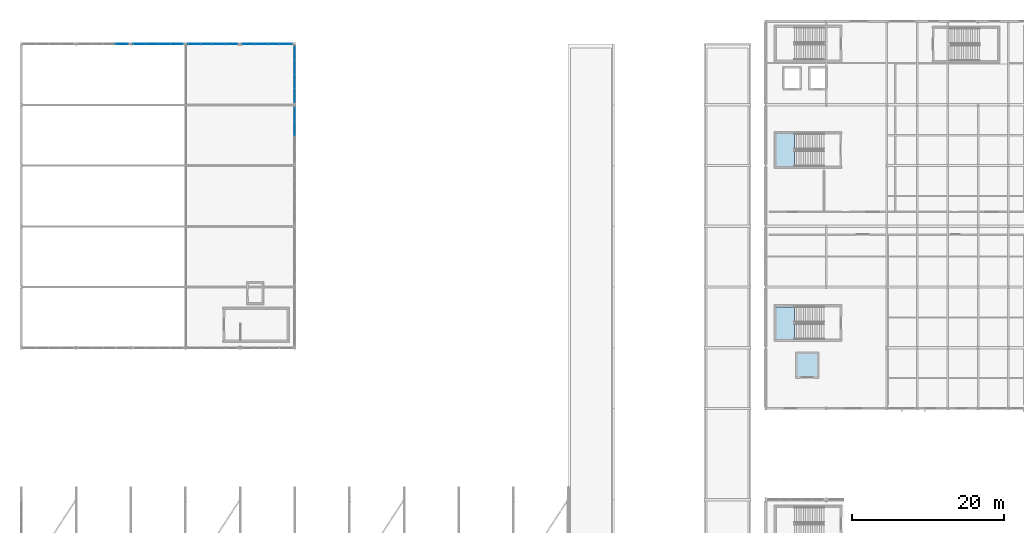
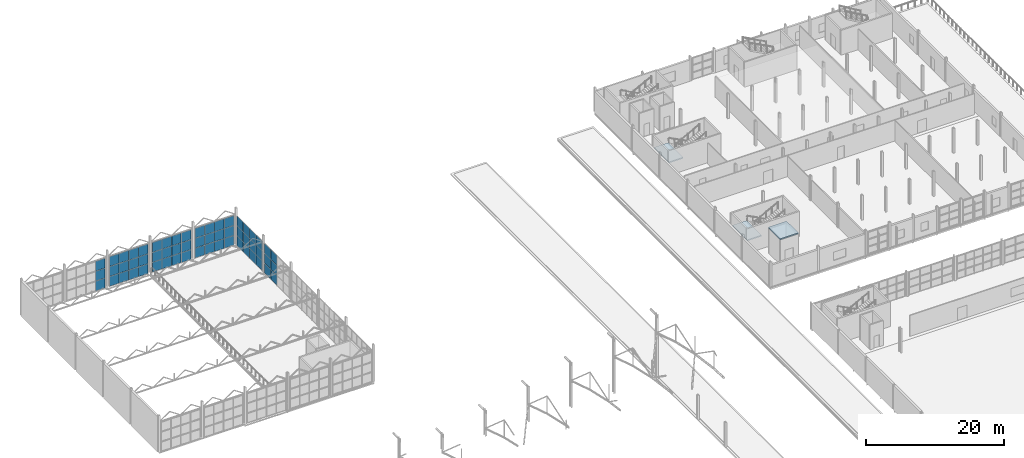
# One storey, part 127 of 153: 57 plates, 3 slabs, 8 elements without a shape of their own.
"""IFC4 building model written with IfcOpenShell, lengths in metres."""

from ifc_helpers import new_model, si_unit, derived_unit, direction, frame, origin, origin_2d, place, context, subcontext, project, spatial, polyline, rectangle, outline, extrude, material, layer, layer_set, type_object, element, aggregate, save


model = new_model("IFC4")

# Units and contexts
model_context = context("Model", 3, precision=1e-05, world=origin(), true_north=direction((0.0, 1.0)))
body_context = subcontext(model_context, "Body", "Model", "MODEL_VIEW")
ifc_project = project(units=[si_unit("LENGTHUNIT", "METRE"), si_unit("AREAUNIT", "SQUARE_METRE"), si_unit("VOLUMEUNIT", "CUBIC_METRE"), si_unit("PLANEANGLEUNIT", "RADIAN"), si_unit("MASSUNIT", "GRAM", prefix="KILO"), derived_unit("THERMALTRANSMITTANCEUNIT", [(si_unit("POWERUNIT", "WATT"), 1), (si_unit("LENGTHUNIT", "METRE"), -2), (si_unit("THERMODYNAMICTEMPERATUREUNIT", "KELVIN"), -1)])], contexts=[model_context])

# Site, building, storey
site_placement = place(None, origin())
site = spatial("IfcSite", under=ifc_project, at=site_placement, CompositionType="ELEMENT")
building_placement = place(site_placement, origin())
building = spatial("IfcBuilding", under=site, at=building_placement, Name="Keldorne Ridge Multi-Sports Centre", CompositionType="ELEMENT")
storey_placement = place(building_placement, frame((0.0, 0.0, 9.60009765625)))
storey = spatial("IfcBuildingStorey", under=building, at=storey_placement, Name="L02", CompositionType="ELEMENT", Elevation=9.60009765625)

# Curtain wall, plates
ifc_material_1 = material(Name="Anodized aluminium", Category="aluminium")
curtain_wall_type_1 = type_object("IfcCurtainWallType", Name="CW-CW-05", PredefinedType="NOTDEFINED", material=ifc_material_1)
curtain_wall_1_placement = place(storey_placement, origin())
curtain_wall_1 = element("IfcCurtainWall", 1, at=curtain_wall_1_placement, inside=storey, type_object=curtain_wall_type_1, Name="Climbing east courtyard glazing L02 069", PredefinedType="NOTDEFINED")
ifc_material_2 = material(Name="Double low-e insulated glazing", Category="glass")
ifc_layer_1 = layer(ifc_material_2, 0.035888671875)
ifc_layer_set_1 = layer_set([ifc_layer_1])
plate_type_1 = type_object("IfcPlateType", Name="PLT-GL-01", PredefinedType="CURTAIN_PANEL", material=ifc_layer_set_1)
plate_1_placement = place(storey_placement, frame((42.0, 102.9150390625, 0.02001953125), z_axis=(0.0, 0.0, 1.0), x_axis=(0.0, 1.0, 0.0)))
plate_1 = element("IfcPlate", 2, at=plate_1_placement, type_object=plate_type_1, Name="CW-069 glazed panel 3.1", PredefinedType="CURTAIN_PANEL", context=body_context, shape_type="SweptSolid", body=[
    extrude(rectangle(XDim=1.7900390625, YDim=0.035888671875, at=origin_2d()), origin(), (0.0, 0.0, 1.0), 1.726806640625),
])
plate_2_placement = place(storey_placement, frame((42.0, 102.9150390625, 1.78662109375), z_axis=(0.0, 0.0, 1.0), x_axis=(0.0, 1.0, 0.0)))
plate_2 = element("IfcPlate", 3, at=plate_2_placement, type_object=plate_type_1, Name="CW-069 glazed panel 3.2", PredefinedType="CURTAIN_PANEL", context=body_context, shape_type="SweptSolid", body=[
    extrude(rectangle(XDim=1.7900390625, YDim=0.035888671875, at=origin_2d()), origin(), (0.0, 0.0, 1.0), 1.726806640625),
])
plate_3_placement = place(storey_placement, frame((42.0, 102.9150390625, 3.55322265625), z_axis=(0.0, 0.0, 1.0), x_axis=(0.0, 1.0, 0.0)))
plate_3 = element("IfcPlate", 4, at=plate_3_placement, type_object=plate_type_1, Name="CW-069 glazed panel 3.3", PredefinedType="CURTAIN_PANEL", context=body_context, shape_type="SweptSolid", body=[
    extrude(rectangle(XDim=1.7900390625, YDim=0.035888671875, at=origin_2d()), origin(), (0.0, 0.0, 1.0), 1.726806640625),
])
plate_4_placement = place(storey_placement, frame((42.0, 104.7451171875, 0.02001953125), z_axis=(0.0, 0.0, 1.0), x_axis=(0.0, 1.0, 0.0)))
plate_4 = element("IfcPlate", 5, at=plate_4_placement, type_object=plate_type_1, Name="CW-069 glazed panel 4.1", PredefinedType="CURTAIN_PANEL", context=body_context, shape_type="SweptSolid", body=[
    extrude(rectangle(XDim=1.7900390625, YDim=0.035888671875, at=origin_2d()), origin(), (0.0, 0.0, 1.0), 1.726806640625),
])
plate_5_placement = place(storey_placement, frame((42.0, 104.7451171875, 1.78662109375), z_axis=(0.0, 0.0, 1.0), x_axis=(0.0, 1.0, 0.0)))
plate_5 = element("IfcPlate", 6, at=plate_5_placement, type_object=plate_type_1, Name="CW-069 glazed panel 4.2", PredefinedType="CURTAIN_PANEL", context=body_context, shape_type="SweptSolid", body=[
    extrude(rectangle(XDim=1.7900390625, YDim=0.035888671875, at=origin_2d()), origin(), (0.0, 0.0, 1.0), 1.726806640625),
])
plate_6_placement = place(storey_placement, frame((42.0, 104.7451171875, 3.55322265625), z_axis=(0.0, 0.0, 1.0), x_axis=(0.0, 1.0, 0.0)))
plate_6 = element("IfcPlate", 7, at=plate_6_placement, type_object=plate_type_1, Name="CW-069 glazed panel 4.3", PredefinedType="CURTAIN_PANEL", context=body_context, shape_type="SweptSolid", body=[
    extrude(rectangle(XDim=1.7900390625, YDim=0.035888671875, at=origin_2d()), origin(), (0.0, 0.0, 1.0), 1.726806640625),
])
aggregate(curtain_wall_1, [plate_1, plate_2, plate_3, plate_4, plate_5, plate_6])

curtain_wall_type_2 = type_object("IfcCurtainWallType", Name="CW-CW-08", PredefinedType="NOTDEFINED", material=ifc_material_1)
curtain_wall_2_placement = place(storey_placement, origin())
curtain_wall_2 = element("IfcCurtainWall", 8, at=curtain_wall_2_placement, inside=storey, type_object=curtain_wall_type_2, Name="Climbing east courtyard glazing L02 072", PredefinedType="NOTDEFINED")
plate_7_placement = place(storey_placement, frame((42.0, 107.2548828125, 0.02001953125), z_axis=(0.0, 0.0, 1.0), x_axis=(0.0, 1.0, 0.0)))
plate_7 = element("IfcPlate", 9, at=plate_7_placement, type_object=plate_type_1, Name="CW-072 glazed panel 1.1", PredefinedType="CURTAIN_PANEL", context=body_context, shape_type="SweptSolid", body=[
    extrude(rectangle(XDim=1.7900390625, YDim=0.035888671875, at=origin_2d()), origin(), (0.0, 0.0, 1.0), 1.726806640625),
])
plate_8_placement = place(storey_placement, frame((42.0, 107.2548828125, 1.78662109375), z_axis=(0.0, 0.0, 1.0), x_axis=(0.0, 1.0, 0.0)))
plate_8 = element("IfcPlate", 10, at=plate_8_placement, type_object=plate_type_1, Name="CW-072 glazed panel 1.2", PredefinedType="CURTAIN_PANEL", context=body_context, shape_type="SweptSolid", body=[
    extrude(rectangle(XDim=1.7900390625, YDim=0.035888671875, at=origin_2d()), origin(), (0.0, 0.0, 1.0), 1.726806640625),
])
plate_9_placement = place(storey_placement, frame((42.0, 107.2548828125, 3.55322265625), z_axis=(0.0, 0.0, 1.0), x_axis=(0.0, 1.0, 0.0)))
plate_9 = element("IfcPlate", 11, at=plate_9_placement, type_object=plate_type_1, Name="CW-072 glazed panel 1.3", PredefinedType="CURTAIN_PANEL", context=body_context, shape_type="SweptSolid", body=[
    extrude(rectangle(XDim=1.7900390625, YDim=0.035888671875, at=origin_2d()), origin(), (0.0, 0.0, 1.0), 1.726806640625),
])
plate_10_placement = place(storey_placement, frame((42.0, 109.0849609375, 0.02001953125), z_axis=(0.0, 0.0, 1.0), x_axis=(0.0, 1.0, 0.0)))
plate_10 = element("IfcPlate", 12, at=plate_10_placement, type_object=plate_type_1, Name="CW-072 glazed panel 2.1", PredefinedType="CURTAIN_PANEL", context=body_context, shape_type="SweptSolid", body=[
    extrude(rectangle(XDim=1.7900390625, YDim=0.035888671875, at=origin_2d()), origin(), (0.0, 0.0, 1.0), 1.726806640625),
])
plate_11_placement = place(storey_placement, frame((42.0, 109.0849609375, 1.78662109375), z_axis=(0.0, 0.0, 1.0), x_axis=(0.0, 1.0, 0.0)))
plate_11 = element("IfcPlate", 13, at=plate_11_placement, type_object=plate_type_1, Name="CW-072 glazed panel 2.2", PredefinedType="CURTAIN_PANEL", context=body_context, shape_type="SweptSolid", body=[
    extrude(rectangle(XDim=1.7900390625, YDim=0.035888671875, at=origin_2d()), origin(), (0.0, 0.0, 1.0), 1.726806640625),
])
plate_12_placement = place(storey_placement, frame((42.0, 109.0849609375, 3.55322265625), z_axis=(0.0, 0.0, 1.0), x_axis=(0.0, 1.0, 0.0)))
plate_12 = element("IfcPlate", 14, at=plate_12_placement, type_object=plate_type_1, Name="CW-072 glazed panel 2.3", PredefinedType="CURTAIN_PANEL", context=body_context, shape_type="SweptSolid", body=[
    extrude(rectangle(XDim=1.7900390625, YDim=0.035888671875, at=origin_2d()), origin(), (0.0, 0.0, 1.0), 1.726806640625),
])
plate_13_placement = place(storey_placement, frame((42.0, 110.9150390625, 0.02001953125), z_axis=(0.0, 0.0, 1.0), x_axis=(0.0, 1.0, 0.0)))
plate_13 = element("IfcPlate", 15, at=plate_13_placement, type_object=plate_type_1, Name="CW-072 glazed panel 3.1", PredefinedType="CURTAIN_PANEL", context=body_context, shape_type="SweptSolid", body=[
    extrude(rectangle(XDim=1.7900390625, YDim=0.035888671875, at=origin_2d()), origin(), (0.0, 0.0, 1.0), 1.726806640625),
])
plate_14_placement = place(storey_placement, frame((42.0, 110.9150390625, 1.78662109375), z_axis=(0.0, 0.0, 1.0), x_axis=(0.0, 1.0, 0.0)))
plate_14 = element("IfcPlate", 16, at=plate_14_placement, type_object=plate_type_1, Name="CW-072 glazed panel 3.2", PredefinedType="CURTAIN_PANEL", context=body_context, shape_type="SweptSolid", body=[
    extrude(rectangle(XDim=1.7900390625, YDim=0.035888671875, at=origin_2d()), origin(), (0.0, 0.0, 1.0), 1.726806640625),
])
plate_15_placement = place(storey_placement, frame((42.0, 110.9150390625, 3.55322265625), z_axis=(0.0, 0.0, 1.0), x_axis=(0.0, 1.0, 0.0)))
plate_15 = element("IfcPlate", 17, at=plate_15_placement, type_object=plate_type_1, Name="CW-072 glazed panel 3.3", PredefinedType="CURTAIN_PANEL", context=body_context, shape_type="SweptSolid", body=[
    extrude(rectangle(XDim=1.7900390625, YDim=0.035888671875, at=origin_2d()), origin(), (0.0, 0.0, 1.0), 1.726806640625),
])
plate_16_placement = place(storey_placement, frame((42.0, 112.7451171875, 0.02001953125), z_axis=(0.0, 0.0, 1.0), x_axis=(0.0, 1.0, 0.0)))
plate_16 = element("IfcPlate", 18, at=plate_16_placement, type_object=plate_type_1, Name="CW-072 glazed panel 4.1", PredefinedType="CURTAIN_PANEL", context=body_context, shape_type="SweptSolid", body=[
    extrude(rectangle(XDim=1.7900390625, YDim=0.035888671875, at=origin_2d()), origin(), (0.0, 0.0, 1.0), 1.726806640625),
])
plate_17_placement = place(storey_placement, frame((42.0, 112.7451171875, 1.78662109375), z_axis=(0.0, 0.0, 1.0), x_axis=(0.0, 1.0, 0.0)))
plate_17 = element("IfcPlate", 19, at=plate_17_placement, type_object=plate_type_1, Name="CW-072 glazed panel 4.2", PredefinedType="CURTAIN_PANEL", context=body_context, shape_type="SweptSolid", body=[
    extrude(rectangle(XDim=1.7900390625, YDim=0.035888671875, at=origin_2d()), origin(), (0.0, 0.0, 1.0), 1.726806640625),
])
plate_18_placement = place(storey_placement, frame((42.0, 112.7451171875, 3.55322265625), z_axis=(0.0, 0.0, 1.0), x_axis=(0.0, 1.0, 0.0)))
plate_18 = element("IfcPlate", 20, at=plate_18_placement, type_object=plate_type_1, Name="CW-072 glazed panel 4.3", PredefinedType="CURTAIN_PANEL", context=body_context, shape_type="SweptSolid", body=[
    extrude(rectangle(XDim=1.7900390625, YDim=0.035888671875, at=origin_2d()), origin(), (0.0, 0.0, 1.0), 1.726806640625),
])
aggregate(curtain_wall_2, [plate_7, plate_8, plate_9, plate_10, plate_11, plate_12, plate_13, plate_14, plate_15, plate_16, plate_17, plate_18])

curtain_wall_type_3 = type_object("IfcCurtainWallType", Name="CW-CW-03", PredefinedType="NOTDEFINED", material=ifc_material_1)
curtain_wall_3_placement = place(storey_placement, origin())
curtain_wall_3 = element("IfcCurtainWall", 21, at=curtain_wall_3_placement, inside=storey, type_object=curtain_wall_type_3, Name="Climbing north glazing L02 043", PredefinedType="NOTDEFINED")
ifc_material_3 = material(Name="Triple acoustic low-e glazing", Category="glass")
ifc_layer_2 = layer(ifc_material_3, 0.0439453125)
ifc_layer_set_2 = layer_set([ifc_layer_2])
plate_type_2 = type_object("IfcPlateType", Name="PLT-GL-02", PredefinedType="CURTAIN_PANEL", material=ifc_layer_set_2)
plate_19_placement = place(storey_placement, frame((19.2451171875, 114.0, 0.02001953125), z_axis=(0.0, 0.0, 1.0), x_axis=(-1.0, 0.0, 0.0)))
plate_19 = element("IfcPlate", 22, at=plate_19_placement, type_object=plate_type_2, Name="CW-043 glazed panel 1.1", PredefinedType="CURTAIN_PANEL", context=body_context, shape_type="SweptSolid", body=[
    extrude(rectangle(XDim=1.590087890625, YDim=0.0439453125, at=origin_2d()), origin(), (0.0, 0.0, 1.0), 1.726806640625),
])
plate_20_placement = place(storey_placement, frame((19.2451171875, 114.0, 1.78662109375), z_axis=(0.0, 0.0, 1.0), x_axis=(-1.0, 0.0, 0.0)))
plate_20 = element("IfcPlate", 23, at=plate_20_placement, type_object=plate_type_2, Name="CW-043 glazed panel 1.2", PredefinedType="CURTAIN_PANEL", context=body_context, shape_type="SweptSolid", body=[
    extrude(rectangle(XDim=1.590087890625, YDim=0.0439453125, at=origin_2d()), origin(), (0.0, 0.0, 1.0), 1.726806640625),
])
plate_21_placement = place(storey_placement, frame((19.2451171875, 114.0, 3.55322265625), z_axis=(0.0, 0.0, 1.0), x_axis=(-1.0, 0.0, 0.0)))
plate_21 = element("IfcPlate", 24, at=plate_21_placement, type_object=plate_type_2, Name="CW-043 glazed panel 1.3", PredefinedType="CURTAIN_PANEL", context=body_context, shape_type="SweptSolid", body=[
    extrude(rectangle(XDim=1.590087890625, YDim=0.0439453125, at=origin_2d()), origin(), (0.0, 0.0, 1.0), 1.726806640625),
])
aggregate(curtain_wall_3, [plate_19, plate_20, plate_21])

curtain_wall_type_4 = type_object("IfcCurtainWallType", Name="CW-CW-07", PredefinedType="NOTDEFINED", material=ifc_material_1)
curtain_wall_4_placement = place(storey_placement, origin())
curtain_wall_4 = element("IfcCurtainWall", 25, at=curtain_wall_4_placement, inside=storey, type_object=curtain_wall_type_4, Name="Climbing north glazing L02 047", PredefinedType="NOTDEFINED")
plate_22_placement = place(storey_placement, frame((26.445068359375, 114.0, 0.02001953125), z_axis=(0.0, 0.0, 1.0), x_axis=(-1.0, 0.0, 0.0)))
plate_22 = element("IfcPlate", 26, at=plate_22_placement, type_object=plate_type_2, Name="CW-047 glazed panel 1.1", PredefinedType="CURTAIN_PANEL", context=body_context, shape_type="SweptSolid", body=[
    extrude(rectangle(XDim=1.590087890625, YDim=0.0439453125, at=origin_2d()), origin(), (0.0, 0.0, 1.0), 1.726806640625),
])
plate_23_placement = place(storey_placement, frame((26.445068359375, 114.0, 1.78662109375), z_axis=(0.0, 0.0, 1.0), x_axis=(-1.0, 0.0, 0.0)))
plate_23 = element("IfcPlate", 27, at=plate_23_placement, type_object=plate_type_2, Name="CW-047 glazed panel 1.2", PredefinedType="CURTAIN_PANEL", context=body_context, shape_type="SweptSolid", body=[
    extrude(rectangle(XDim=1.590087890625, YDim=0.0439453125, at=origin_2d()), origin(), (0.0, 0.0, 1.0), 1.726806640625),
])
plate_24_placement = place(storey_placement, frame((26.445068359375, 114.0, 3.55322265625), z_axis=(0.0, 0.0, 1.0), x_axis=(-1.0, 0.0, 0.0)))
plate_24 = element("IfcPlate", 28, at=plate_24_placement, type_object=plate_type_2, Name="CW-047 glazed panel 1.3", PredefinedType="CURTAIN_PANEL", context=body_context, shape_type="SweptSolid", body=[
    extrude(rectangle(XDim=1.590087890625, YDim=0.0439453125, at=origin_2d()), origin(), (0.0, 0.0, 1.0), 1.726806640625),
])
plate_25_placement = place(storey_placement, frame((24.81494140625, 114.0, 0.02001953125), z_axis=(0.0, 0.0, 1.0), x_axis=(-1.0, 0.0, 0.0)))
plate_25 = element("IfcPlate", 29, at=plate_25_placement, type_object=plate_type_2, Name="CW-047 glazed panel 2.1", PredefinedType="CURTAIN_PANEL", context=body_context, shape_type="SweptSolid", body=[
    extrude(rectangle(XDim=1.590087890625, YDim=0.0439453125, at=origin_2d()), origin(), (0.0, 0.0, 1.0), 1.726806640625),
])
plate_26_placement = place(storey_placement, frame((24.81494140625, 114.0, 1.78662109375), z_axis=(0.0, 0.0, 1.0), x_axis=(-1.0, 0.0, 0.0)))
plate_26 = element("IfcPlate", 30, at=plate_26_placement, type_object=plate_type_2, Name="CW-047 glazed panel 2.2", PredefinedType="CURTAIN_PANEL", context=body_context, shape_type="SweptSolid", body=[
    extrude(rectangle(XDim=1.590087890625, YDim=0.0439453125, at=origin_2d()), origin(), (0.0, 0.0, 1.0), 1.726806640625),
])
plate_27_placement = place(storey_placement, frame((24.81494140625, 114.0, 3.55322265625), z_axis=(0.0, 0.0, 1.0), x_axis=(-1.0, 0.0, 0.0)))
plate_27 = element("IfcPlate", 31, at=plate_27_placement, type_object=plate_type_2, Name="CW-047 glazed panel 2.3", PredefinedType="CURTAIN_PANEL", context=body_context, shape_type="SweptSolid", body=[
    extrude(rectangle(XDim=1.590087890625, YDim=0.0439453125, at=origin_2d()), origin(), (0.0, 0.0, 1.0), 1.726806640625),
])
plate_28_placement = place(storey_placement, frame((23.18505859375, 114.0, 0.02001953125), z_axis=(0.0, 0.0, 1.0), x_axis=(-1.0, 0.0, 0.0)))
plate_28 = element("IfcPlate", 32, at=plate_28_placement, type_object=plate_type_2, Name="CW-047 glazed panel 3.1", PredefinedType="CURTAIN_PANEL", context=body_context, shape_type="SweptSolid", body=[
    extrude(rectangle(XDim=1.590087890625, YDim=0.0439453125, at=origin_2d()), origin(), (0.0, 0.0, 1.0), 1.726806640625),
])
plate_29_placement = place(storey_placement, frame((23.18505859375, 114.0, 1.78662109375), z_axis=(0.0, 0.0, 1.0), x_axis=(-1.0, 0.0, 0.0)))
plate_29 = element("IfcPlate", 33, at=plate_29_placement, type_object=plate_type_2, Name="CW-047 glazed panel 3.2", PredefinedType="CURTAIN_PANEL", context=body_context, shape_type="SweptSolid", body=[
    extrude(rectangle(XDim=1.590087890625, YDim=0.0439453125, at=origin_2d()), origin(), (0.0, 0.0, 1.0), 1.726806640625),
])
plate_30_placement = place(storey_placement, frame((23.18505859375, 114.0, 3.55322265625), z_axis=(0.0, 0.0, 1.0), x_axis=(-1.0, 0.0, 0.0)))
plate_30 = element("IfcPlate", 34, at=plate_30_placement, type_object=plate_type_2, Name="CW-047 glazed panel 3.3", PredefinedType="CURTAIN_PANEL", context=body_context, shape_type="SweptSolid", body=[
    extrude(rectangle(XDim=1.590087890625, YDim=0.0439453125, at=origin_2d()), origin(), (0.0, 0.0, 1.0), 1.726806640625),
])
plate_31_placement = place(storey_placement, frame((21.554931640625, 114.0, 0.02001953125), z_axis=(0.0, 0.0, 1.0), x_axis=(-1.0, 0.0, 0.0)))
plate_31 = element("IfcPlate", 35, at=plate_31_placement, type_object=plate_type_2, Name="CW-047 glazed panel 4.1", PredefinedType="CURTAIN_PANEL", context=body_context, shape_type="SweptSolid", body=[
    extrude(rectangle(XDim=1.590087890625, YDim=0.0439453125, at=origin_2d()), origin(), (0.0, 0.0, 1.0), 1.726806640625),
])
plate_32_placement = place(storey_placement, frame((21.554931640625, 114.0, 1.78662109375), z_axis=(0.0, 0.0, 1.0), x_axis=(-1.0, 0.0, 0.0)))
plate_32 = element("IfcPlate", 36, at=plate_32_placement, type_object=plate_type_2, Name="CW-047 glazed panel 4.2", PredefinedType="CURTAIN_PANEL", context=body_context, shape_type="SweptSolid", body=[
    extrude(rectangle(XDim=1.590087890625, YDim=0.0439453125, at=origin_2d()), origin(), (0.0, 0.0, 1.0), 1.726806640625),
])
plate_33_placement = place(storey_placement, frame((21.554931640625, 114.0, 3.55322265625), z_axis=(0.0, 0.0, 1.0), x_axis=(-1.0, 0.0, 0.0)))
plate_33 = element("IfcPlate", 37, at=plate_33_placement, type_object=plate_type_2, Name="CW-047 glazed panel 4.3", PredefinedType="CURTAIN_PANEL", context=body_context, shape_type="SweptSolid", body=[
    extrude(rectangle(XDim=1.590087890625, YDim=0.0439453125, at=origin_2d()), origin(), (0.0, 0.0, 1.0), 1.726806640625),
])
aggregate(curtain_wall_4, [plate_22, plate_23, plate_24, plate_25, plate_26, plate_27, plate_28, plate_29, plate_30, plate_31, plate_32, plate_33])

curtain_wall_5_placement = place(storey_placement, origin())
curtain_wall_5 = element("IfcCurtainWall", 38, at=curtain_wall_5_placement, inside=storey, type_object=curtain_wall_type_3, Name="Climbing north glazing L02 051", PredefinedType="NOTDEFINED")
plate_34_placement = place(storey_placement, frame((33.64501953125, 114.0, 0.02001953125), z_axis=(0.0, 0.0, 1.0), x_axis=(-1.0, 0.0, 0.0)))
plate_34 = element("IfcPlate", 39, at=plate_34_placement, type_object=plate_type_2, Name="CW-051 glazed panel 1.1", PredefinedType="CURTAIN_PANEL", context=body_context, shape_type="SweptSolid", body=[
    extrude(rectangle(XDim=1.590087890625, YDim=0.0439453125, at=origin_2d()), origin(), (0.0, 0.0, 1.0), 1.726806640625),
])
plate_35_placement = place(storey_placement, frame((33.64501953125, 114.0, 1.78662109375), z_axis=(0.0, 0.0, 1.0), x_axis=(-1.0, 0.0, 0.0)))
plate_35 = element("IfcPlate", 40, at=plate_35_placement, type_object=plate_type_2, Name="CW-051 glazed panel 1.2", PredefinedType="CURTAIN_PANEL", context=body_context, shape_type="SweptSolid", body=[
    extrude(rectangle(XDim=1.590087890625, YDim=0.0439453125, at=origin_2d()), origin(), (0.0, 0.0, 1.0), 1.726806640625),
])
plate_36_placement = place(storey_placement, frame((33.64501953125, 114.0, 3.55322265625), z_axis=(0.0, 0.0, 1.0), x_axis=(-1.0, 0.0, 0.0)))
plate_36 = element("IfcPlate", 41, at=plate_36_placement, type_object=plate_type_2, Name="CW-051 glazed panel 1.3", PredefinedType="CURTAIN_PANEL", context=body_context, shape_type="SweptSolid", body=[
    extrude(rectangle(XDim=1.590087890625, YDim=0.0439453125, at=origin_2d()), origin(), (0.0, 0.0, 1.0), 1.726806640625),
])
plate_37_placement = place(storey_placement, frame((32.014892578125, 114.0, 0.02001953125), z_axis=(0.0, 0.0, 1.0), x_axis=(-1.0, 0.0, 0.0)))
plate_37 = element("IfcPlate", 42, at=plate_37_placement, type_object=plate_type_2, Name="CW-051 glazed panel 2.1", PredefinedType="CURTAIN_PANEL", context=body_context, shape_type="SweptSolid", body=[
    extrude(rectangle(XDim=1.590087890625, YDim=0.0439453125, at=origin_2d()), origin(), (0.0, 0.0, 1.0), 1.726806640625),
])
plate_38_placement = place(storey_placement, frame((32.014892578125, 114.0, 1.78662109375), z_axis=(0.0, 0.0, 1.0), x_axis=(-1.0, 0.0, 0.0)))
plate_38 = element("IfcPlate", 43, at=plate_38_placement, type_object=plate_type_2, Name="CW-051 glazed panel 2.2", PredefinedType="CURTAIN_PANEL", context=body_context, shape_type="SweptSolid", body=[
    extrude(rectangle(XDim=1.590087890625, YDim=0.0439453125, at=origin_2d()), origin(), (0.0, 0.0, 1.0), 1.726806640625),
])
plate_39_placement = place(storey_placement, frame((32.014892578125, 114.0, 3.55322265625), z_axis=(0.0, 0.0, 1.0), x_axis=(-1.0, 0.0, 0.0)))
plate_39 = element("IfcPlate", 44, at=plate_39_placement, type_object=plate_type_2, Name="CW-051 glazed panel 2.3", PredefinedType="CURTAIN_PANEL", context=body_context, shape_type="SweptSolid", body=[
    extrude(rectangle(XDim=1.590087890625, YDim=0.0439453125, at=origin_2d()), origin(), (0.0, 0.0, 1.0), 1.726806640625),
])
plate_40_placement = place(storey_placement, frame((30.385009765625, 114.0, 0.02001953125), z_axis=(0.0, 0.0, 1.0), x_axis=(-1.0, 0.0, 0.0)))
plate_40 = element("IfcPlate", 45, at=plate_40_placement, type_object=plate_type_2, Name="CW-051 glazed panel 3.1", PredefinedType="CURTAIN_PANEL", context=body_context, shape_type="SweptSolid", body=[
    extrude(rectangle(XDim=1.590087890625, YDim=0.0439453125, at=origin_2d()), origin(), (0.0, 0.0, 1.0), 1.726806640625),
])
plate_41_placement = place(storey_placement, frame((30.385009765625, 114.0, 1.78662109375), z_axis=(0.0, 0.0, 1.0), x_axis=(-1.0, 0.0, 0.0)))
plate_41 = element("IfcPlate", 46, at=plate_41_placement, type_object=plate_type_2, Name="CW-051 glazed panel 3.2", PredefinedType="CURTAIN_PANEL", context=body_context, shape_type="SweptSolid", body=[
    extrude(rectangle(XDim=1.590087890625, YDim=0.0439453125, at=origin_2d()), origin(), (0.0, 0.0, 1.0), 1.726806640625),
])
plate_42_placement = place(storey_placement, frame((30.385009765625, 114.0, 3.55322265625), z_axis=(0.0, 0.0, 1.0), x_axis=(-1.0, 0.0, 0.0)))
plate_42 = element("IfcPlate", 47, at=plate_42_placement, type_object=plate_type_2, Name="CW-051 glazed panel 3.3", PredefinedType="CURTAIN_PANEL", context=body_context, shape_type="SweptSolid", body=[
    extrude(rectangle(XDim=1.590087890625, YDim=0.0439453125, at=origin_2d()), origin(), (0.0, 0.0, 1.0), 1.726806640625),
])
plate_43_placement = place(storey_placement, frame((28.7548828125, 114.0, 0.02001953125), z_axis=(0.0, 0.0, 1.0), x_axis=(-1.0, 0.0, 0.0)))
plate_43 = element("IfcPlate", 48, at=plate_43_placement, type_object=plate_type_2, Name="CW-051 glazed panel 4.1", PredefinedType="CURTAIN_PANEL", context=body_context, shape_type="SweptSolid", body=[
    extrude(rectangle(XDim=1.590087890625, YDim=0.0439453125, at=origin_2d()), origin(), (0.0, 0.0, 1.0), 1.726806640625),
])
plate_44_placement = place(storey_placement, frame((28.7548828125, 114.0, 1.78662109375), z_axis=(0.0, 0.0, 1.0), x_axis=(-1.0, 0.0, 0.0)))
plate_44 = element("IfcPlate", 49, at=plate_44_placement, type_object=plate_type_2, Name="CW-051 glazed panel 4.2", PredefinedType="CURTAIN_PANEL", context=body_context, shape_type="SweptSolid", body=[
    extrude(rectangle(XDim=1.590087890625, YDim=0.0439453125, at=origin_2d()), origin(), (0.0, 0.0, 1.0), 1.726806640625),
])
plate_45_placement = place(storey_placement, frame((28.7548828125, 114.0, 3.55322265625), z_axis=(0.0, 0.0, 1.0), x_axis=(-1.0, 0.0, 0.0)))
plate_45 = element("IfcPlate", 50, at=plate_45_placement, type_object=plate_type_2, Name="CW-051 glazed panel 4.3", PredefinedType="CURTAIN_PANEL", context=body_context, shape_type="SweptSolid", body=[
    extrude(rectangle(XDim=1.590087890625, YDim=0.0439453125, at=origin_2d()), origin(), (0.0, 0.0, 1.0), 1.726806640625),
])
aggregate(curtain_wall_5, [plate_34, plate_35, plate_36, plate_37, plate_38, plate_39, plate_40, plate_41, plate_42, plate_43, plate_44, plate_45])

curtain_wall_type_5 = type_object("IfcCurtainWallType", Name="CW-CW-01", PredefinedType="NOTDEFINED", material=ifc_material_1)
curtain_wall_6_placement = place(storey_placement, origin())
curtain_wall_6 = element("IfcCurtainWall", 51, at=curtain_wall_6_placement, inside=storey, type_object=curtain_wall_type_5, Name="Climbing north glazing L02 057", PredefinedType="NOTDEFINED")
plate_46_placement = place(storey_placement, frame((40.844970703125, 114.0, 0.02001953125), z_axis=(0.0, 0.0, 1.0), x_axis=(-1.0, 0.0, 0.0)))
plate_46 = element("IfcPlate", 52, at=plate_46_placement, type_object=plate_type_2, Name="CW-057 glazed panel 1.1", PredefinedType="CURTAIN_PANEL", context=body_context, shape_type="SweptSolid", body=[
    extrude(rectangle(XDim=1.590087890625, YDim=0.0439453125, at=origin_2d()), origin(), (0.0, 0.0, 1.0), 1.726806640625),
])
plate_47_placement = place(storey_placement, frame((40.844970703125, 114.0, 1.78662109375), z_axis=(0.0, 0.0, 1.0), x_axis=(-1.0, 0.0, 0.0)))
plate_47 = element("IfcPlate", 53, at=plate_47_placement, type_object=plate_type_2, Name="CW-057 glazed panel 1.2", PredefinedType="CURTAIN_PANEL", context=body_context, shape_type="SweptSolid", body=[
    extrude(rectangle(XDim=1.590087890625, YDim=0.0439453125, at=origin_2d()), origin(), (0.0, 0.0, 1.0), 1.726806640625),
])
plate_48_placement = place(storey_placement, frame((40.844970703125, 114.0, 3.55322265625), z_axis=(0.0, 0.0, 1.0), x_axis=(-1.0, 0.0, 0.0)))
plate_48 = element("IfcPlate", 54, at=plate_48_placement, type_object=plate_type_2, Name="CW-057 glazed panel 1.3", PredefinedType="CURTAIN_PANEL", context=body_context, shape_type="SweptSolid", body=[
    extrude(rectangle(XDim=1.590087890625, YDim=0.0439453125, at=origin_2d()), origin(), (0.0, 0.0, 1.0), 1.726806640625),
])
plate_49_placement = place(storey_placement, frame((39.215087890625, 114.0, 0.02001953125), z_axis=(0.0, 0.0, 1.0), x_axis=(-1.0, 0.0, 0.0)))
plate_49 = element("IfcPlate", 55, at=plate_49_placement, type_object=plate_type_2, Name="CW-057 glazed panel 2.1", PredefinedType="CURTAIN_PANEL", context=body_context, shape_type="SweptSolid", body=[
    extrude(rectangle(XDim=1.590087890625, YDim=0.0439453125, at=origin_2d()), origin(), (0.0, 0.0, 1.0), 1.726806640625),
])
plate_50_placement = place(storey_placement, frame((39.215087890625, 114.0, 1.78662109375), z_axis=(0.0, 0.0, 1.0), x_axis=(-1.0, 0.0, 0.0)))
plate_50 = element("IfcPlate", 56, at=plate_50_placement, type_object=plate_type_2, Name="CW-057 glazed panel 2.2", PredefinedType="CURTAIN_PANEL", context=body_context, shape_type="SweptSolid", body=[
    extrude(rectangle(XDim=1.590087890625, YDim=0.0439453125, at=origin_2d()), origin(), (0.0, 0.0, 1.0), 1.726806640625),
])
plate_51_placement = place(storey_placement, frame((39.215087890625, 114.0, 3.55322265625), z_axis=(0.0, 0.0, 1.0), x_axis=(-1.0, 0.0, 0.0)))
plate_51 = element("IfcPlate", 57, at=plate_51_placement, type_object=plate_type_2, Name="CW-057 glazed panel 2.3", PredefinedType="CURTAIN_PANEL", context=body_context, shape_type="SweptSolid", body=[
    extrude(rectangle(XDim=1.590087890625, YDim=0.0439453125, at=origin_2d()), origin(), (0.0, 0.0, 1.0), 1.726806640625),
])
plate_52_placement = place(storey_placement, frame((37.5849609375, 114.0, 0.02001953125), z_axis=(0.0, 0.0, 1.0), x_axis=(-1.0, 0.0, 0.0)))
plate_52 = element("IfcPlate", 58, at=plate_52_placement, type_object=plate_type_2, Name="CW-057 glazed panel 3.1", PredefinedType="CURTAIN_PANEL", context=body_context, shape_type="SweptSolid", body=[
    extrude(rectangle(XDim=1.590087890625, YDim=0.0439453125, at=origin_2d()), origin(), (0.0, 0.0, 1.0), 1.726806640625),
])
plate_53_placement = place(storey_placement, frame((37.5849609375, 114.0, 1.78662109375), z_axis=(0.0, 0.0, 1.0), x_axis=(-1.0, 0.0, 0.0)))
plate_53 = element("IfcPlate", 59, at=plate_53_placement, type_object=plate_type_2, Name="CW-057 glazed panel 3.2", PredefinedType="CURTAIN_PANEL", context=body_context, shape_type="SweptSolid", body=[
    extrude(rectangle(XDim=1.590087890625, YDim=0.0439453125, at=origin_2d()), origin(), (0.0, 0.0, 1.0), 1.726806640625),
])
plate_54_placement = place(storey_placement, frame((37.5849609375, 114.0, 3.55322265625), z_axis=(0.0, 0.0, 1.0), x_axis=(-1.0, 0.0, 0.0)))
plate_54 = element("IfcPlate", 60, at=plate_54_placement, type_object=plate_type_2, Name="CW-057 glazed panel 3.3", PredefinedType="CURTAIN_PANEL", context=body_context, shape_type="SweptSolid", body=[
    extrude(rectangle(XDim=1.590087890625, YDim=0.0439453125, at=origin_2d()), origin(), (0.0, 0.0, 1.0), 1.726806640625),
])
plate_55_placement = place(storey_placement, frame((35.955078125, 114.0, 0.02001953125), z_axis=(0.0, 0.0, 1.0), x_axis=(-1.0, 0.0, 0.0)))
plate_55 = element("IfcPlate", 61, at=plate_55_placement, type_object=plate_type_2, Name="CW-057 glazed panel 4.1", PredefinedType="CURTAIN_PANEL", context=body_context, shape_type="SweptSolid", body=[
    extrude(rectangle(XDim=1.590087890625, YDim=0.0439453125, at=origin_2d()), origin(), (0.0, 0.0, 1.0), 1.726806640625),
])
plate_56_placement = place(storey_placement, frame((35.955078125, 114.0, 1.78662109375), z_axis=(0.0, 0.0, 1.0), x_axis=(-1.0, 0.0, 0.0)))
plate_56 = element("IfcPlate", 62, at=plate_56_placement, type_object=plate_type_2, Name="CW-057 glazed panel 4.2", PredefinedType="CURTAIN_PANEL", context=body_context, shape_type="SweptSolid", body=[
    extrude(rectangle(XDim=1.590087890625, YDim=0.0439453125, at=origin_2d()), origin(), (0.0, 0.0, 1.0), 1.726806640625),
])
plate_57_placement = place(storey_placement, frame((35.955078125, 114.0, 3.55322265625), z_axis=(0.0, 0.0, 1.0), x_axis=(-1.0, 0.0, 0.0)))
plate_57 = element("IfcPlate", 63, at=plate_57_placement, type_object=plate_type_2, Name="CW-057 glazed panel 4.3", PredefinedType="CURTAIN_PANEL", context=body_context, shape_type="SweptSolid", body=[
    extrude(rectangle(XDim=1.590087890625, YDim=0.0439453125, at=origin_2d()), origin(), (0.0, 0.0, 1.0), 1.726806640625),
])
aggregate(curtain_wall_6, [plate_46, plate_47, plate_48, plate_49, plate_50, plate_51, plate_52, plate_53, plate_54, plate_55, plate_56, plate_57])

# Stair, slab
ifc_material_4 = material(Name="Concrete C35/45", Category="concrete")
stair_type = type_object("IfcStairType", Name="STR-S01", PredefinedType="HALF_TURN_STAIR", material=ifc_material_4)
stair_1_placement = place(storey_placement, origin())
stair_1 = element("IfcStair", 64, at=stair_1_placement, inside=storey, type_object=stair_type, Name="L02 East Wing South Core C2", PredefinedType="HALF_TURN_STAIR")
ifc_layer_3 = layer(ifc_material_4, 0.199951171875)
ifc_layer_set_3 = layer_set([ifc_layer_3], Name="Concrete C35/45")
slab_type_1 = type_object("IfcSlabType", Name="SLB-LDG-01", PredefinedType="LANDING", material=ifc_layer_set_3)
slab_1_placement = place(storey_placement, frame((0.0, 0.0, 2.0)))
slab_1 = element("IfcSlab", 65, at=slab_1_placement, type_object=slab_type_1, Name="ST-02 landing 1", PredefinedType="LANDING", context=body_context, shape_type="SweptSolid", body=[
    extrude(outline(polyline([(107.800048828125, 79.39990234375), (105.39990234375, 79.39990234375), (105.39990234375, 75.10009765625), (107.800048828125, 75.10009765625), (107.800048828125, 79.39990234375)])), origin(), (0.0, 0.0, 1.0), 0.199951171875),
])
aggregate(stair_1, [slab_1])

stair_2_placement = place(storey_placement, origin())
stair_2 = element("IfcStair", 66, at=stair_2_placement, inside=storey, type_object=stair_type, Name="L02 Mid-Wing Escape Stair ST-11", PredefinedType="HALF_TURN_STAIR")
slab_2_placement = place(storey_placement, frame((0.0, 0.0, 2.0)))
slab_2 = element("IfcSlab", 67, at=slab_2_placement, type_object=slab_type_1, Name="ST-11 landing 1", PredefinedType="LANDING", context=body_context, shape_type="SweptSolid", body=[
    extrude(outline(polyline([(107.800048828125, 102.199951171875), (105.39990234375, 102.199951171875), (105.39990234375, 97.89990234375), (107.800048828125, 97.89990234375), (107.800048828125, 102.199951171875)])), origin(), (0.0, 0.0, 1.0), 0.199951171875),
])
aggregate(stair_2, [slab_2])

# Slab
ifc_layer_4 = layer(ifc_material_4, 0.18994140625)
ifc_layer_set_4 = layer_set([ifc_layer_4], Name="Concrete C35/45")
slab_type_2 = type_object("IfcSlabType", Name="SLB-SL-F04", PredefinedType="FLOOR", material=ifc_layer_set_4)
slab_3_placement = place(storey_placement, frame((0.0, 0.0, 4.39990234375)))
element("IfcSlab", 68, at=slab_3_placement, inside=storey, type_object=slab_type_2, Name="Lift L-05 overrun shaft cap", PredefinedType="FLOOR", context=body_context, shape_type="SweptSolid", body=[
    extrude(outline(polyline([(107.97998046875, 69.97998046875), (111.02001953125, 69.97998046875), (111.02001953125, 73.419921875), (107.97998046875, 73.419921875), (107.97998046875, 69.97998046875)])), origin(), (0.0, 0.0, 1.0), 0.199951171875),
])

save(model, "model.ifc")
